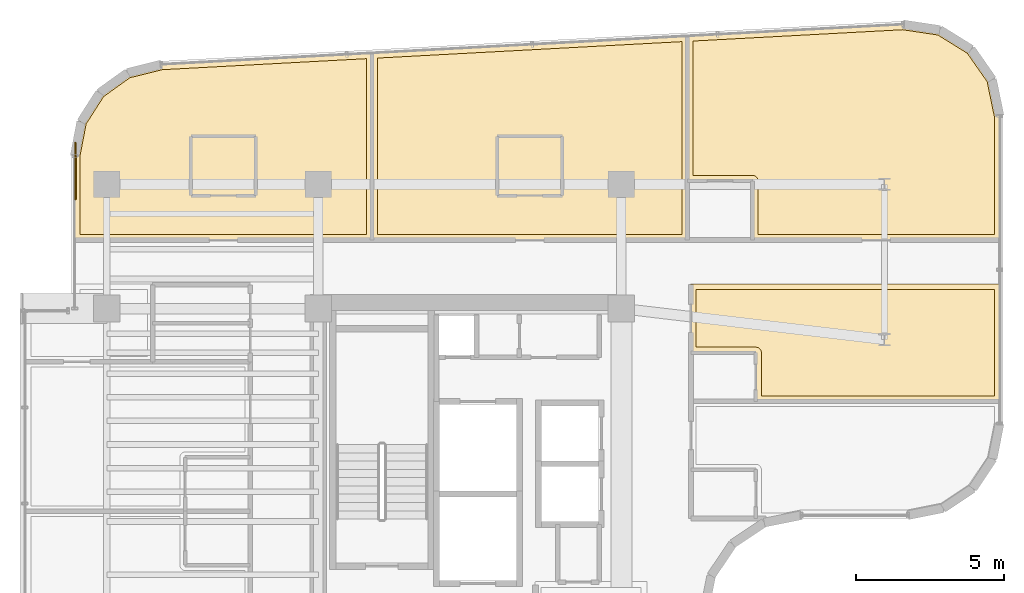
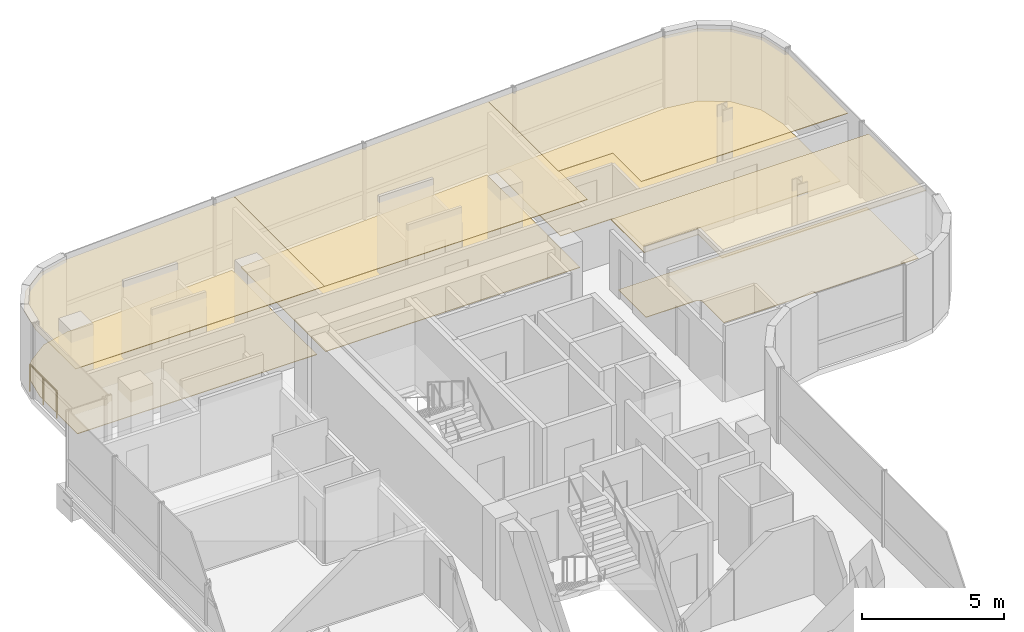
# One storey, part 22 of 22: 8 coverings, 1 railing.
"""IFC4 building model written with IfcOpenShell, lengths in metres."""

from ifc_helpers import new_model, si_unit, direction, frame, origin, origin_2d, place, context, subcontext, project, spatial, polyline, circle, outline, extrude, material, layer, layer_set, type_object, element, save


model = new_model("IFC4")

# Units and contexts
model_context = context("Model", 3, precision=1e-05, world=origin(), true_north=direction((0.0, 1.0)))
body_context = subcontext(model_context, "Body", "Model", "MODEL_VIEW")
ifc_project = project(units=[si_unit("LENGTHUNIT", "METRE"), si_unit("AREAUNIT", "SQUARE_METRE"), si_unit("VOLUMEUNIT", "CUBIC_METRE"), si_unit("PLANEANGLEUNIT", "RADIAN"), si_unit("MASSUNIT", "GRAM", prefix="KILO")], contexts=[model_context])

# Site, building, storey
site_placement = place(None, origin())
site = spatial("IfcSite", under=ifc_project, at=site_placement, CompositionType="ELEMENT")
building_placement = place(site_placement, origin())
building = spatial("IfcBuilding", under=site, at=building_placement, Name="Valdorenza Pilgrim Sanctuary Tower", CompositionType="ELEMENT")
storey_placement = place(building_placement, frame((0.0, 0.0, 212.5)))
storey = spatial("IfcBuildingStorey", under=building, at=storey_placement, Name="L54", CompositionType="ELEMENT", Elevation=212.5)

# Coverings
ifc_material_1 = material(Name="Micro-perforated acoustic mineral ceiling tile", Category="gypsum")
ifc_layer_1 = layer(ifc_material_1, 0.02490234375, Name="Micro-perforated acoustic mineral ceiling tile")
ifc_layer_set_1 = layer_set([ifc_layer_1], Name="Micro-perforated acoustic mineral ceiling tile")
covering_type_1 = type_object("IfcCoveringType", Name="COV-CLG-ACU", PredefinedType="CEILING", material=ifc_layer_set_1)
covering_1_placement = place(storey_placement, frame((0.0, 0.0, 2.9599609375)))
element("IfcCovering", 1, at=covering_1_placement, inside=storey, type_object=covering_type_1, Name="L54 North Guest Room L54-N1 Acoustic Ceiling", PredefinedType="CEILING", context=body_context, shape_type="SweptSolid", body=[
    extrude(outline(polyline([(-30.683349609375, 16.9140625), (-30.68310546875, 16.915283203125), (-30.6826171875, 16.916748046875), (-30.681884765625, 16.918212890625), (-30.681396484375, 16.919189453125), (-30.05419921875, 17.89990234375), (-30.053466796875, 17.901123046875), (-30.052490234375, 17.90234375), (-30.051513671875, 17.9033203125), (-30.05029296875, 17.904052734375), (-29.104736328125, 18.5830078125), (-29.103515625, 18.583740234375), (-29.102294921875, 18.58447265625), (-29.10107421875, 18.5849609375), (-29.099609375, 18.58544921875), (-27.959716796875, 18.86865234375), (-27.958251953125, 18.868896484375), (-27.956787109375, 18.869140625), (-20.83447265625, 19.25341796875), (-20.833740234375, 19.25341796875), (-20.8330078125, 19.25341796875), (-20.83154296875, 19.25341796875), (-20.830078125, 19.253173828125), (-20.82861328125, 19.2529296875), (-20.827392578125, 19.25244140625), (-20.825927734375, 19.251708984375), (-20.82470703125, 19.2509765625), (-20.823486328125, 19.25), (-20.822509765625, 19.2490234375), (-20.8212890625, 19.248046875), (-20.820556640625, 19.246826171875), (-20.81982421875, 19.24560546875), (-20.819091796875, 19.244140625), (-20.818603515625, 19.242919921875), (-20.818359375, 19.241455078125), (-20.818115234375, 19.239990234375), (-20.818115234375, 19.238525390625), (-20.818115234375, 12.919921875), (-20.818115234375, 12.91845703125), (-20.818359375, 12.9169921875), (-20.818603515625, 12.91552734375), (-20.819091796875, 12.914306640625), (-20.81982421875, 12.912841796875), (-20.820556640625, 12.91162109375), (-20.8212890625, 12.910400390625), (-20.822509765625, 12.909423828125), (-20.823486328125, 12.908447265625), (-20.82470703125, 12.907470703125), (-20.825927734375, 12.90673828125), (-20.827392578125, 12.906005859375), (-20.82861328125, 12.905517578125), (-20.830078125, 12.9052734375), (-20.83154296875, 12.905029296875), (-20.8330078125, 12.905029296875), (-30.889892578125, 12.905029296875), (-30.8916015625, 12.905029296875), (-30.892822265625, 12.9052734375), (-30.894287109375, 12.905517578125), (-30.895751953125, 12.906005859375), (-30.897216796875, 12.90673828125), (-30.898193359375, 12.907470703125), (-30.8994140625, 12.908447265625), (-30.900634765625, 12.909423828125), (-30.901611328125, 12.910400390625), (-30.902587890625, 12.91162109375), (-30.9033203125, 12.912841796875), (-30.90380859375, 12.914306640625), (-30.904296875, 12.91552734375), (-30.90478515625, 12.9169921875), (-30.90478515625, 12.91845703125), (-30.905029296875, 12.919921875), (-30.905029296875, 15.757568359375), (-30.90478515625, 15.759033203125), (-30.90478515625, 15.760498046875), (-30.683349609375, 16.9140625)])), origin(), (0.0, 0.0, 1.0), 0.025146484375),
])
covering_2_placement = place(storey_placement, frame((0.0, 0.0, 2.9599609375)))
element("IfcCovering", 2, at=covering_2_placement, inside=storey, type_object=covering_type_1, Name="L54 North Guest Room L54-N2 Acoustic Ceiling", PredefinedType="CEILING", context=body_context, shape_type="SweptSolid", body=[
    extrude(outline(polyline([(-20.845947265625, 19.238525390625), (-20.845947265625, 19.239501953125), (-20.845703125, 19.24072265625), (-20.845703125, 19.2421875), (-20.84521484375, 19.24365234375), (-20.844482421875, 19.2451171875), (-20.843994140625, 19.246337890625), (-20.843017578125, 19.24755859375), (-20.842041015625, 19.248779296875), (-20.841064453125, 19.249755859375), (-20.840087890625, 19.250732421875), (-20.8388671875, 19.25146484375), (-20.83740234375, 19.252197265625), (-20.836181640625, 19.252685546875), (-20.834716796875, 19.253173828125), (-20.833251953125, 19.25341796875), (-20.831787109375, 19.253662109375), (-10.167724609375, 19.8291015625), (-10.16650390625, 19.8291015625), (-10.164794921875, 19.8291015625), (-10.16357421875, 19.828857421875), (-10.162109375, 19.828369140625), (-10.160888671875, 19.827880859375), (-10.15966796875, 19.8271484375), (-10.158203125, 19.826416015625), (-10.1572265625, 19.825439453125), (-10.15625, 19.824462890625), (-10.1552734375, 19.823486328125), (-10.154296875, 19.822265625), (-10.15380859375, 19.821044921875), (-10.153076171875, 19.81982421875), (-10.152587890625, 19.818359375), (-10.15234375, 19.81689453125), (-10.152099609375, 19.815673828125), (-10.152099609375, 19.814208984375), (-10.152099609375, 12.919921875), (-10.152099609375, 12.91845703125), (-10.15234375, 12.9169921875), (-10.152587890625, 12.91552734375), (-10.153076171875, 12.914306640625), (-10.15380859375, 12.912841796875), (-10.154541015625, 12.91162109375), (-10.155517578125, 12.910400390625), (-10.156494140625, 12.909423828125), (-10.157470703125, 12.908447265625), (-10.15869140625, 12.907470703125), (-10.159912109375, 12.90673828125), (-10.161376953125, 12.906005859375), (-10.16259765625, 12.905517578125), (-10.1640625, 12.9052734375), (-10.16552734375, 12.905029296875), (-10.1669921875, 12.905029296875), (-20.8310546875, 12.905029296875), (-20.83251953125, 12.905029296875), (-20.833984375, 12.9052734375), (-20.83544921875, 12.905517578125), (-20.836669921875, 12.906005859375), (-20.838134765625, 12.90673828125), (-20.83935546875, 12.907470703125), (-20.840576171875, 12.908447265625), (-20.841552734375, 12.909423828125), (-20.842529296875, 12.910400390625), (-20.843505859375, 12.91162109375), (-20.84423828125, 12.912841796875), (-20.844970703125, 12.914306640625), (-20.845458984375, 12.91552734375), (-20.845703125, 12.9169921875), (-20.845947265625, 12.91845703125), (-20.845947265625, 12.919921875), (-20.845947265625, 19.238525390625), (-20.845947265625, 19.238525390625)])), origin(), (0.0, 0.0, 1.0), 0.025146484375),
])
covering_3_placement = place(storey_placement, frame((0.0, 0.0, 2.9599609375)))
element("IfcCovering", 3, at=covering_3_placement, inside=storey, type_object=covering_type_1, Name="L54 North Guest Room L54-N3 Acoustic Ceiling", PredefinedType="CEILING", context=body_context, shape_type="SweptSolid", body=[
    extrude(outline(polyline([(-10.179931640625, 19.814208984375), (-10.179931640625, 19.81494140625), (-10.1796875, 19.81640625), (-10.1796875, 19.81787109375), (-10.17919921875, 19.8193359375), (-10.1787109375, 19.82080078125), (-10.177978515625, 19.822021484375), (-10.177001953125, 19.8232421875), (-10.176025390625, 19.82421875), (-10.175048828125, 19.825439453125), (-10.174072265625, 19.826416015625), (-10.1728515625, 19.8271484375), (-10.17138671875, 19.827880859375), (-10.170166015625, 19.828369140625), (-10.168701171875, 19.828857421875), (-10.167236328125, 19.8291015625), (-10.165771484375, 19.8291015625), (-2.87841796875, 20.222412109375), (-2.876953125, 20.222412109375), (-2.87548828125, 20.222412109375), (-1.63232421875, 20.035400390625), (-1.630859375, 20.03515625), (-1.62939453125, 20.034912109375), (-1.628173828125, 20.0341796875), (-1.626708984375, 20.033447265625), (-0.568359375, 19.376708984375), (-0.567138671875, 19.3759765625), (-0.56591796875, 19.375), (-0.56494140625, 19.373779296875), (-0.56396484375, 19.372802734375), (0.148681640625, 18.351318359375), (0.1494140625, 18.349853515625), (0.150146484375, 18.3486328125), (0.150634765625, 18.34716796875), (0.151123046875, 18.345703125), (0.40478515625, 17.114501953125), (0.40478515625, 17.11279296875), (0.405029296875, 17.111328125), (0.405029296875, 12.919921875), (0.40478515625, 12.91845703125), (0.40478515625, 12.9169921875), (0.404296875, 12.91552734375), (0.40380859375, 12.914306640625), (0.4033203125, 12.912841796875), (0.402587890625, 12.91162109375), (0.401611328125, 12.910400390625), (0.400634765625, 12.909423828125), (0.3994140625, 12.908447265625), (0.398193359375, 12.907470703125), (0.397216796875, 12.90673828125), (0.395751953125, 12.906005859375), (0.394287109375, 12.905517578125), (0.392822265625, 12.9052734375), (0.3916015625, 12.905029296875), (0.389892578125, 12.905029296875), (-7.965087890625, 12.905029296875), (-7.966552734375, 12.905029296875), (-7.968017578125, 12.9052734375), (-7.969482421875, 12.905517578125), (-7.970703125, 12.906005859375), (-7.97216796875, 12.90673828125), (-7.973388671875, 12.907470703125), (-7.974609375, 12.908447265625), (-7.9755859375, 12.909423828125), (-7.9765625, 12.910400390625), (-7.9775390625, 12.91162109375), (-7.978271484375, 12.912841796875), (-7.97900390625, 12.914306640625), (-7.9794921875, 12.91552734375), (-7.979736328125, 12.9169921875), (-7.97998046875, 12.91845703125), (-7.97998046875, 12.919921875), (-7.97998046875, 14.906982421875), (-10.1650390625, 14.906982421875), (-10.16650390625, 14.906982421875), (-10.16796875, 14.9072265625), (-10.16943359375, 14.90771484375), (-10.170654296875, 14.908203125), (-10.172119140625, 14.90869140625), (-10.17333984375, 14.909423828125), (-10.174560546875, 14.910400390625), (-10.175537109375, 14.911376953125), (-10.176513671875, 14.91259765625), (-10.177490234375, 14.913818359375), (-10.17822265625, 14.914794921875), (-10.178955078125, 14.916259765625), (-10.179443359375, 14.91748046875), (-10.1796875, 14.919189453125), (-10.179931640625, 14.92041015625), (-10.179931640625, 14.922119140625), (-10.179931640625, 19.814208984375), (-10.179931640625, 19.814208984375)])), origin(), (0.0, 0.0, 1.0), 0.025146484375),
])
covering_4_placement = place(storey_placement, frame((0.0, 0.0, 2.9599609375)))
element("IfcCovering", 4, at=covering_4_placement, inside=storey, type_object=covering_type_1, Name="L54 East Sanctuary Guest Room L54-E2 Acoustic Ceiling", PredefinedType="CEILING", context=body_context, shape_type="SweptSolid", body=[
    extrude(outline(polyline([(-7.863037109375, 9.096923828125), (-10.050048828125, 9.096923828125), (-10.051513671875, 9.09716796875), (-10.052978515625, 9.097412109375), (-10.054443359375, 9.09765625), (-10.0556640625, 9.09814453125), (-10.05712890625, 9.098876953125), (-10.058349609375, 9.099609375), (-10.0595703125, 9.100341796875), (-10.060546875, 9.101318359375), (-10.0615234375, 9.1025390625), (-10.0625, 9.103759765625), (-10.063232421875, 9.10498046875), (-10.06396484375, 9.106201171875), (-10.064453125, 9.107666015625), (-10.064697265625, 9.109130859375), (-10.06494140625, 9.110595703125), (-10.06494140625, 9.112060546875), (-10.06494140625, 11.419921875), (-10.06494140625, 11.42138671875), (-10.064697265625, 11.4228515625), (-10.064453125, 11.42431640625), (-10.06396484375, 11.42578125), (-10.063232421875, 11.427001953125), (-10.0625, 11.42822265625), (-10.0615234375, 11.429443359375), (-10.060546875, 11.4306640625), (-10.0595703125, 11.431640625), (-10.058349609375, 11.4326171875), (-10.05712890625, 11.43310546875), (-10.0556640625, 11.433837890625), (-10.054443359375, 11.434326171875), (-10.052978515625, 11.434814453125), (-10.051513671875, 11.434814453125), (-10.050048828125, 11.43505859375), (0.389892578125, 11.43505859375), (0.3916015625, 11.434814453125), (0.392822265625, 11.434814453125), (0.394287109375, 11.434326171875), (0.395751953125, 11.433837890625), (0.397216796875, 11.43310546875), (0.398193359375, 11.4326171875), (0.3994140625, 11.431640625), (0.400634765625, 11.4306640625), (0.401611328125, 11.429443359375), (0.402587890625, 11.42822265625), (0.4033203125, 11.427001953125), (0.40380859375, 11.42578125), (0.404296875, 11.42431640625), (0.40478515625, 11.4228515625), (0.40478515625, 11.42138671875), (0.405029296875, 11.419921875), (0.405029296875, 7.4619140625), (0.40478515625, 7.46044921875), (0.40478515625, 7.458984375), (0.404296875, 7.45751953125), (0.40380859375, 7.456298828125), (0.4033203125, 7.454833984375), (0.402587890625, 7.45361328125), (0.401611328125, 7.452392578125), (0.400634765625, 7.451416015625), (0.3994140625, 7.450439453125), (0.398193359375, 7.449462890625), (0.397216796875, 7.44873046875), (0.395751953125, 7.447998046875), (0.394287109375, 7.447509765625), (0.392822265625, 7.447265625), (0.3916015625, 7.447021484375), (0.389892578125, 7.447021484375), (-7.847900390625, 7.447021484375), (-7.849609375, 7.447021484375), (-7.850830078125, 7.447265625), (-7.852294921875, 7.447509765625), (-7.853759765625, 7.447998046875), (-7.85498046875, 7.44873046875), (-7.856201171875, 7.449462890625), (-7.857421875, 7.450439453125), (-7.858642578125, 7.451416015625), (-7.859619140625, 7.452392578125), (-7.860595703125, 7.45361328125), (-7.861083984375, 7.454833984375), (-7.86181640625, 7.456298828125), (-7.8623046875, 7.45751953125), (-7.86279296875, 7.458984375), (-7.86279296875, 7.46044921875), (-7.863037109375, 7.4619140625), (-7.863037109375, 9.096923828125)])), origin(), (0.0, 0.0, 1.0), 0.025146484375),
])
ifc_material_2 = material(Name="Engineered European oak timber flooring", Category="wood")
ifc_layer_2 = layer(ifc_material_2, 0.02197265625, Name="Engineered European oak timber flooring")
ifc_layer_set_2 = layer_set([ifc_layer_2], Name="Engineered European oak timber flooring")
covering_type_2 = type_object("IfcCoveringType", Name="COV-FLR-OAK", PredefinedType="FLOORING", material=ifc_layer_set_2)
covering_5_placement = place(storey_placement, origin())
element("IfcCovering", 5, at=covering_5_placement, inside=storey, type_object=covering_type_2, Name="L54 North Guest Room L54-N1 Flooring", PredefinedType="FLOORING", context=body_context, shape_type="SweptSolid", body=[
    extrude(outline(polyline([(-30.498291015625, 16.843505859375), (-29.90869140625, 17.765869140625), (-29.019287109375, 18.404541015625), (-27.92919921875, 18.67529296875), (-21.013671875, 19.048583984375), (-21.012939453125, 13.10009765625), (-30.7099609375, 13.10009765625), (-30.7099609375, 15.740478515625), (-30.498291015625, 16.843505859375)])), origin(), (0.0, 0.0, 1.0), 0.02490234375),
])
covering_6_placement = place(storey_placement, origin())
element("IfcCovering", 6, at=covering_6_placement, inside=storey, type_object=covering_type_2, Name="L54 North Guest Room L54-N2 Flooring", PredefinedType="FLOORING", context=body_context, shape_type="SweptSolid", body=[
    extrude(outline(polyline([(-10.346923828125, 19.624267578125), (-10.346923828125, 13.10009765625), (-20.65087890625, 13.10009765625), (-20.65087890625, 19.068115234375), (-10.346923828125, 19.624267578125)])), origin(), (0.0, 0.0, 1.0), 0.02490234375),
])
covering_7_placement = place(storey_placement, origin())
element("IfcCovering", 7, at=covering_7_placement, inside=storey, type_object=covering_type_2, Name="L54 North Guest Room L54-N3 Flooring", PredefinedType="FLOORING", context=body_context, shape_type="SweptSolid", body=[
    extrude(outline(polyline([(-7.784912109375, 13.10009765625), (-7.784912109375, 14.919921875), (-7.78515625, 14.9287109375), (-7.78515625, 14.928955078125), (-7.787109375, 14.946533203125), (-7.787109375, 14.94677734375), (-7.790283203125, 14.964111328125), (-7.79052734375, 14.96435546875), (-7.795654296875, 14.981201171875), (-7.795654296875, 14.9814453125), (-7.802490234375, 14.997802734375), (-7.802490234375, 14.997802734375), (-7.810791015625, 15.013427734375), (-7.810791015625, 15.013671875), (-7.82080078125, 15.0283203125), (-7.82080078125, 15.028564453125), (-7.83203125, 15.0419921875), (-7.832275390625, 15.042236328125), (-7.8447265625, 15.0546875), (-7.844970703125, 15.054931640625), (-7.8583984375, 15.066162109375), (-7.858642578125, 15.066162109375), (-7.873291015625, 15.076171875), (-7.87353515625, 15.076171875), (-7.88916015625, 15.08447265625), (-7.889404296875, 15.084716796875), (-7.905517578125, 15.09130859375), (-7.90576171875, 15.09130859375), (-7.922607421875, 15.096435546875), (-7.9228515625, 15.0966796875), (-7.940185546875, 15.10009765625), (-7.9404296875, 15.10009765625), (-7.9580078125, 15.101806640625), (-7.958251953125, 15.101806640625), (-7.967041015625, 15.10205078125), (-9.985107421875, 15.10205078125), (-9.985107421875, 19.6435546875), (-2.88623046875, 20.02685546875), (-1.697998046875, 19.84814453125), (-0.70263671875, 19.230712890625), (-0.032470703125, 18.27001953125), (0.2099609375, 17.093017578125), (0.2099609375, 13.10009765625), (-7.784912109375, 13.10009765625)])), origin(), (0.0, 0.0, 1.0), 0.02490234375),
])
covering_8_placement = place(storey_placement, origin())
element("IfcCovering", 8, at=covering_8_placement, inside=storey, type_object=covering_type_2, Name="L54 East Sanctuary Guest Room L54-E2 Flooring", PredefinedType="FLOORING", context=body_context, shape_type="SweptSolid", body=[
    extrude(outline(polyline([(0.2099609375, 7.64208984375), (-7.66796875, 7.64208984375), (-7.66796875, 9.110107421875), (-7.668212890625, 9.118896484375), (-7.668212890625, 9.118896484375), (-7.669921875, 9.13671875), (-7.669921875, 9.13671875), (-7.67333984375, 9.154052734375), (-7.673583984375, 9.154296875), (-7.6787109375, 9.171142578125), (-7.6787109375, 9.17138671875), (-7.685302734375, 9.187744140625), (-7.685546875, 9.18798828125), (-7.69384765625, 9.20361328125), (-7.69384765625, 9.20361328125), (-7.703857421875, 9.21826171875), (-7.703857421875, 9.218505859375), (-7.715087890625, 9.232177734375), (-7.715087890625, 9.232421875), (-7.727783203125, 9.244873046875), (-7.727783203125, 9.244873046875), (-7.741455078125, 9.256103515625), (-7.74169921875, 9.256103515625), (-7.75634765625, 9.26611328125), (-7.756591796875, 9.26611328125), (-7.772216796875, 9.2744140625), (-7.772216796875, 9.274658203125), (-7.78857421875, 9.28125), (-7.788818359375, 9.281494140625), (-7.8056640625, 9.28662109375), (-7.805908203125, 9.28662109375), (-7.8232421875, 9.2900390625), (-7.823486328125, 9.2900390625), (-7.841064453125, 9.291748046875), (-7.84130859375, 9.291748046875), (-7.85009765625, 9.2919921875), (-9.8701171875, 9.2919921875), (-9.8701171875, 11.239990234375), (0.2099609375, 11.239990234375), (0.2099609375, 7.64208984375)])), origin(), (0.0, 0.0, 1.0), 0.02490234375),
])

# Railing
ifc_material_3 = material(Name="Stainless steel Grade 316", Category="steel")
railing_type = type_object("IfcRailingType", Name="RLG-GRD-1120", PredefinedType="GUARDRAIL", material=ifc_material_3)
railing_placement = place(storey_placement, frame((-30.860107421875, 14.300048828125, 0.0)))
element("IfcRailing", 9, at=railing_placement, inside=storey, type_object=railing_type, Name="L54 NW Tangent Safety Sill Guard", PredefinedType="GUARDRAIL", context=body_context, shape_type="SweptSolid", body=[
    extrude(circle(Radius=0.02392578125, at=origin_2d()), frame((0.0, 0.0, 1.17578125), z_axis=(0.0, 1.0, 0.0), x_axis=(-1.0, 0.0, 0.0)), (0.0, 0.0, 1.0), 1.89990234375),
    extrude(circle(Radius=0.02099609375, at=origin_2d()), origin(), (0.0, 0.0, 1.0), 1.15185546875),
    extrude(circle(Radius=0.02099609375, at=origin_2d()), frame((0.0, 0.949951171875, 0.0)), (0.0, 0.0, 1.0), 1.15185546875),
    extrude(circle(Radius=0.02099609375, at=origin_2d()), frame((0.0, 1.89990234375, 0.0)), (0.0, 0.0, 1.0), 1.15185546875),
])

save(model, "model.ifc")
